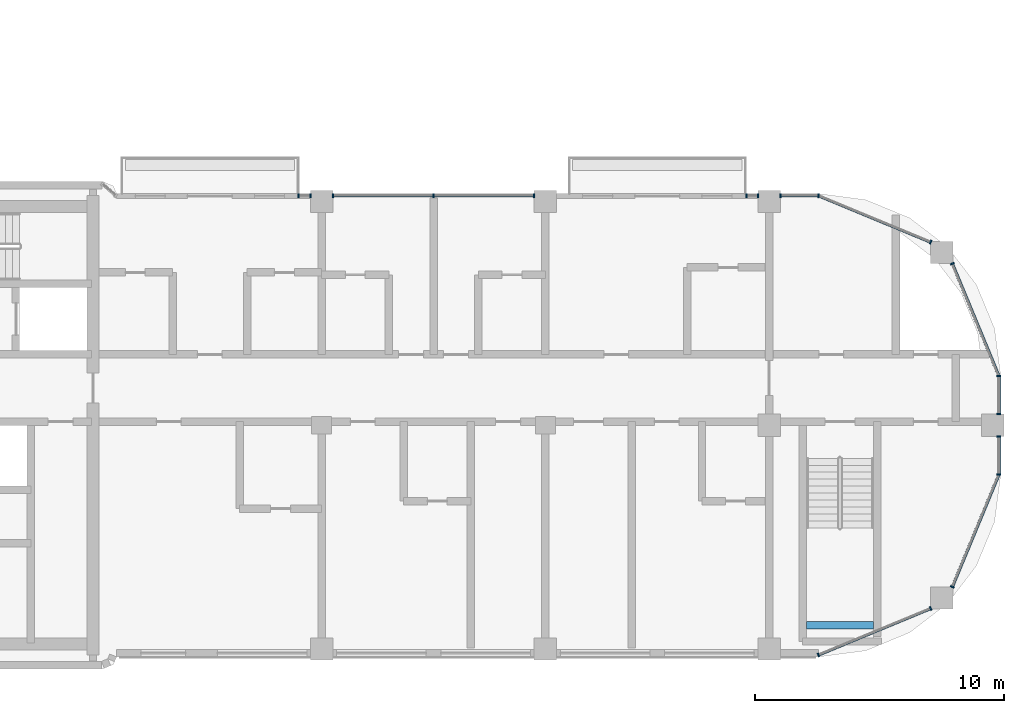
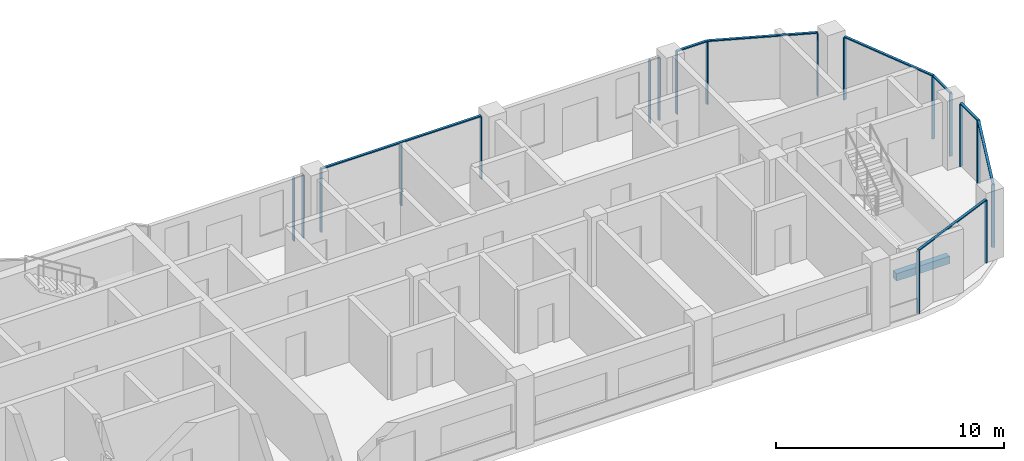
# One storey, part 3 of 19: 26 members, 1 beam, 10 elements without a shape of their own.
"""IFC4 building model written with IfcOpenShell, lengths in metres."""

from ifc_helpers import new_model, si_unit, direction, frame, origin, origin_2d, place, context, subcontext, project, spatial, rectangle, extrude, material, material_profile, profile_set, type_object, element, aggregate, save


model = new_model("IFC4")

# Units and contexts
model_context = context("Model", 3, precision=1e-05, world=origin(), true_north=direction((0.0, 1.0)))
body_context = subcontext(model_context, "Body", "Model", "MODEL_VIEW")
ifc_project = project(units=[si_unit("LENGTHUNIT", "METRE"), si_unit("AREAUNIT", "SQUARE_METRE"), si_unit("VOLUMEUNIT", "CUBIC_METRE"), si_unit("PLANEANGLEUNIT", "RADIAN"), si_unit("MASSUNIT", "GRAM", prefix="KILO")], contexts=[model_context])

# Site, building, storey
site_placement = place(None, origin())
site = spatial("IfcSite", under=ifc_project, at=site_placement, CompositionType="ELEMENT")
building_placement = place(site_placement, origin())
building = spatial("IfcBuilding", under=site, at=building_placement, Name="Ogive Portal Towers", CompositionType="ELEMENT")
storey_placement = place(building_placement, frame((0.0, 0.0, 218.0)))
storey = spatial("IfcBuildingStorey", under=building, at=storey_placement, Name="L54", CompositionType="ELEMENT", Elevation=218.0)

# Beam
ifc_material_1 = material(Name="Concrete C40/50", Category="concrete")
ifc_material_profile_1 = material_profile(ifc_material_1, rectangle(XDim=0.300048828125, YDim=0.39990234375, at=origin_2d()), Name="RC 300x400")
ifc_profile_set_1 = profile_set([ifc_material_profile_1], Name="Concrete C40/50")
beam_type = type_object("IfcBeamType", Name="BEAM RC 300x400", PredefinedType="BEAM", material=ifc_profile_set_1)
beam_placement = place(storey_placement, frame((87.0, 22.449951171875, 1.449951171875), z_axis=(1.0, 0.0, 0.0), x_axis=(0.0, 1.0, 0.0)))
element("IfcBeam", 1, at=beam_placement, inside=storey, type_object=beam_type, Name="Landing beam L54", PredefinedType="BEAM", context=body_context, shape_type="SweptSolid", body=[
    extrude(rectangle(XDim=0.300048828125, YDim=0.39990234375, at=origin_2d()), origin(), (0.0, 0.0, 1.0), 2.699951171875),
])

# Curtain wall, members
ifc_material_2 = material(Name="Glass, clear low-iron insulated glazing", Category="glass")
curtain_wall_type = type_object("IfcCurtainWallType", Name="CW FRONT RIBBON 4500", PredefinedType="NOTDEFINED", material=ifc_material_2)
curtain_wall_1_placement = place(storey_placement, origin())
curtain_wall_1 = element("IfcCurtainWall", 2, at=curtain_wall_1_placement, inside=storey, type_object=curtain_wall_type, Name="A:L54:f23:cw0~0", PredefinedType="NOTDEFINED")
ifc_material_3 = material(Name="Aluminium 6063 anodised", Category="aluminium")
ifc_material_profile_2 = material_profile(ifc_material_3, rectangle(XDim=0.159912109375, YDim=0.06005859375, at=origin_2d()), Name="AL 60x160")
ifc_profile_set_2 = profile_set([ifc_material_profile_2], Name="Aluminium 6063 anodised")
member_type_1 = type_object("IfcMemberType", Name="CW MULLION 60x160", PredefinedType="MULLION", material=ifc_profile_set_2)
member_1_placement = place(storey_placement, frame((94.739990234375, 28.515869140625, 0.0), z_axis=(0.0, 0.0, 1.0), x_axis=(-1.0, 0.0, 0.0)))
member_1 = element("IfcMember", 3, at=member_1_placement, type_object=member_type_1, Name="mullion", PredefinedType="MULLION", context=body_context, shape_type="SweptSolid", body=[
    extrude(rectangle(XDim=0.159912109375, YDim=0.06005859375, at=origin_2d()), origin(), (0.0, 0.0, 1.0), 3.340087890625),
])
member_2_placement = place(storey_placement, frame((94.739990234375, 30.050048828125, 0.0), z_axis=(0.0, 0.0, 1.0), x_axis=(-1.0, 0.0, 0.0)))
member_2 = element("IfcMember", 4, at=member_2_placement, type_object=member_type_1, Name="mullion", PredefinedType="MULLION", context=body_context, shape_type="SweptSolid", body=[
    extrude(rectangle(XDim=0.159912109375, YDim=0.06005859375, at=origin_2d()), origin(), (0.0, 0.0, 1.0), 3.340087890625),
])

curtain_wall_2_placement = place(storey_placement, origin())
curtain_wall_2 = element("IfcCurtainWall", 5, at=curtain_wall_2_placement, inside=storey, type_object=curtain_wall_type, Name="A:L54:f23:cw0~1", PredefinedType="NOTDEFINED")
member_3_placement = place(storey_placement, frame((94.739990234375, 30.949951171875, 0.0), z_axis=(0.0, 0.0, 1.0), x_axis=(-1.0, 0.0, 0.0)))
member_3 = element("IfcMember", 6, at=member_3_placement, type_object=member_type_1, Name="mullion", PredefinedType="MULLION", context=body_context, shape_type="SweptSolid", body=[
    extrude(rectangle(XDim=0.159912109375, YDim=0.06005859375, at=origin_2d()), origin(), (0.0, 0.0, 1.0), 3.340087890625),
])
member_4_placement = place(storey_placement, frame((94.739990234375, 32.484130859375, 0.0), z_axis=(0.0, 0.0, 1.0), x_axis=(-1.0, 0.0, 0.0)))
member_4 = element("IfcMember", 7, at=member_4_placement, type_object=member_type_1, Name="mullion", PredefinedType="MULLION", context=body_context, shape_type="SweptSolid", body=[
    extrude(rectangle(XDim=0.159912109375, YDim=0.06005859375, at=origin_2d()), origin(), (0.0, 0.0, 1.0), 3.340087890625),
])

curtain_wall_3_placement = place(storey_placement, origin())
curtain_wall_3 = element("IfcCurtainWall", 8, at=curtain_wall_3_placement, inside=storey, type_object=curtain_wall_type, Name="A:L54:f26:cw0~0", PredefinedType="NOTDEFINED")
member_5_placement = place(storey_placement, frame((87.484130859375, 39.739990234375, 0.0), z_axis=(0.0, 0.0, 1.0), x_axis=(0.0, -1.0, 0.0)))
member_5 = element("IfcMember", 9, at=member_5_placement, type_object=member_type_1, Name="mullion", PredefinedType="MULLION", context=body_context, shape_type="SweptSolid", body=[
    extrude(rectangle(XDim=0.159912109375, YDim=0.06005859375, at=origin_2d()), origin(), (0.0, 0.0, 1.0), 3.340087890625),
])
member_6_placement = place(storey_placement, frame((85.949951171875, 39.739990234375, 0.0), z_axis=(0.0, 0.0, 1.0), x_axis=(0.0, -1.0, 0.0)))
member_6 = element("IfcMember", 10, at=member_6_placement, type_object=member_type_1, Name="mullion", PredefinedType="MULLION", context=body_context, shape_type="SweptSolid", body=[
    extrude(rectangle(XDim=0.159912109375, YDim=0.06005859375, at=origin_2d()), origin(), (0.0, 0.0, 1.0), 3.340087890625),
])

curtain_wall_4_placement = place(storey_placement, origin())
curtain_wall_4 = element("IfcCurtainWall", 11, at=curtain_wall_4_placement, inside=storey, type_object=curtain_wall_type, Name="A:L54:f26:cw0~1", PredefinedType="NOTDEFINED")
member_7_placement = place(storey_placement, frame((85.050048828125, 39.739990234375, 0.0), z_axis=(0.0, 0.0, 1.0), x_axis=(0.0, -1.0, 0.0)))
member_7 = element("IfcMember", 12, at=member_7_placement, type_object=member_type_1, Name="mullion", PredefinedType="MULLION", context=body_context, shape_type="SweptSolid", body=[
    extrude(rectangle(XDim=0.159912109375, YDim=0.06005859375, at=origin_2d()), origin(), (0.0, 0.0, 1.0), 3.340087890625),
])
member_8_placement = place(storey_placement, frame((84.582763671875, 39.739990234375, 0.0), z_axis=(0.0, 0.0, 1.0), x_axis=(0.0, -1.0, 0.0)))
member_8 = element("IfcMember", 13, at=member_8_placement, type_object=member_type_1, Name="mullion", PredefinedType="MULLION", context=body_context, shape_type="SweptSolid", body=[
    extrude(rectangle(XDim=0.159912109375, YDim=0.06005859375, at=origin_2d()), origin(), (0.0, 0.0, 1.0), 3.340087890625),
])
aggregate(curtain_wall_4, [member_7, member_8])

curtain_wall_5_placement = place(storey_placement, origin())
curtain_wall_5 = element("IfcCurtainWall", 14, at=curtain_wall_5_placement, inside=storey, type_object=curtain_wall_type, Name="A:L54:f26:cw1~0", PredefinedType="NOTDEFINED")
member_9_placement = place(storey_placement, frame((76.050048828125, 39.739990234375, 0.0), z_axis=(0.0, 0.0, 1.0), x_axis=(0.0, -1.0, 0.0)))
member_9 = element("IfcMember", 15, at=member_9_placement, type_object=member_type_1, Name="mullion", PredefinedType="MULLION", context=body_context, shape_type="SweptSolid", body=[
    extrude(rectangle(XDim=0.159912109375, YDim=0.06005859375, at=origin_2d()), origin(), (0.0, 0.0, 1.0), 3.340087890625),
])
member_10_placement = place(storey_placement, frame((72.0, 39.739990234375, 0.0), z_axis=(0.0, 0.0, 1.0), x_axis=(0.0, -1.0, 0.0)))
member_10 = element("IfcMember", 16, at=member_10_placement, type_object=member_type_1, Name="mullion", PredefinedType="MULLION", context=body_context, shape_type="SweptSolid", body=[
    extrude(rectangle(XDim=0.159912109375, YDim=0.06005859375, at=origin_2d()), origin(), (0.0, 0.0, 1.0), 3.340087890625),
])
member_11_placement = place(storey_placement, frame((67.949951171875, 39.739990234375, 0.0), z_axis=(0.0, 0.0, 1.0), x_axis=(0.0, -1.0, 0.0)))
member_11 = element("IfcMember", 17, at=member_11_placement, type_object=member_type_1, Name="mullion", PredefinedType="MULLION", context=body_context, shape_type="SweptSolid", body=[
    extrude(rectangle(XDim=0.159912109375, YDim=0.06005859375, at=origin_2d()), origin(), (0.0, 0.0, 1.0), 3.340087890625),
])

curtain_wall_6_placement = place(storey_placement, origin())
curtain_wall_6 = element("IfcCurtainWall", 18, at=curtain_wall_6_placement, inside=storey, type_object=curtain_wall_type, Name="A:L54:f26:cw1~1", PredefinedType="NOTDEFINED")
member_12_placement = place(storey_placement, frame((67.050048828125, 39.739990234375, 0.0), z_axis=(0.0, 0.0, 1.0), x_axis=(0.0, -1.0, 0.0)))
member_12 = element("IfcMember", 19, at=member_12_placement, type_object=member_type_1, Name="mullion", PredefinedType="MULLION", context=body_context, shape_type="SweptSolid", body=[
    extrude(rectangle(XDim=0.159912109375, YDim=0.06005859375, at=origin_2d()), origin(), (0.0, 0.0, 1.0), 3.340087890625),
])
member_13_placement = place(storey_placement, frame((66.573974609375, 39.739990234375, 0.0), z_axis=(0.0, 0.0, 1.0), x_axis=(0.0, -1.0, 0.0)))
member_13 = element("IfcMember", 20, at=member_13_placement, type_object=member_type_1, Name="mullion", PredefinedType="MULLION", context=body_context, shape_type="SweptSolid", body=[
    extrude(rectangle(XDim=0.159912109375, YDim=0.06005859375, at=origin_2d()), origin(), (0.0, 0.0, 1.0), 3.340087890625),
])
aggregate(curtain_wall_6, [member_12, member_13])

curtain_wall_7_placement = place(storey_placement, origin())
curtain_wall_7 = element("IfcCurtainWall", 21, at=curtain_wall_7_placement, inside=storey, type_object=curtain_wall_type, Name="A:L54:f21:cwa~0", PredefinedType="NOTDEFINED")
member_14_placement = place(storey_placement, frame((87.484130859375, 21.260009765625, 0.0), z_axis=(0.0, 0.0, 1.0), x_axis=(-0.382683432365, 0.923879532511, 0.0)))
member_14 = element("IfcMember", 22, at=member_14_placement, type_object=member_type_1, Name="mullion", PredefinedType="MULLION", context=body_context, shape_type="SweptSolid", body=[
    extrude(rectangle(XDim=0.159912109375, YDim=0.06005859375, at=origin_2d()), origin(), (0.0, 0.0, 1.0), 3.340087890625),
])
member_15_placement = place(storey_placement, frame((92.0, 23.130615234375, 0.0), z_axis=(0.0, 0.0, 1.0), x_axis=(-0.382683432365, 0.923879532511, 0.0)))
member_15 = element("IfcMember", 23, at=member_15_placement, type_object=member_type_1, Name="mullion", PredefinedType="MULLION", context=body_context, shape_type="SweptSolid", body=[
    extrude(rectangle(XDim=0.159912109375, YDim=0.06005859375, at=origin_2d()), origin(), (0.0, 0.0, 1.0), 3.340087890625),
])

# Curtain wall, member
curtain_wall_8_placement = place(storey_placement, origin())
curtain_wall_8 = element("IfcCurtainWall", 24, at=curtain_wall_8_placement, inside=storey, type_object=curtain_wall_type, Name="A:L54:f21:cwa~1", PredefinedType="NOTDEFINED")
member_16_placement = place(storey_placement, frame((92.869384765625, 24.0, 0.0), z_axis=(0.0, 0.0, 1.0), x_axis=(-0.923879532511, 0.382683432365, 0.0)))
member_16 = element("IfcMember", 25, at=member_16_placement, type_object=member_type_1, Name="mullion", PredefinedType="MULLION", context=body_context, shape_type="SweptSolid", body=[
    extrude(rectangle(XDim=0.159912109375, YDim=0.06005859375, at=origin_2d()), origin(), (0.0, 0.0, 1.0), 3.340087890625),
])

curtain_wall_9_placement = place(storey_placement, origin())
curtain_wall_9 = element("IfcCurtainWall", 26, at=curtain_wall_9_placement, inside=storey, type_object=curtain_wall_type, Name="A:L54:f24:cwa~0", PredefinedType="NOTDEFINED")
member_17_placement = place(storey_placement, frame((92.869384765625, 37.0, 0.0), z_axis=(0.0, 0.0, 1.0), x_axis=(-0.923879532511, -0.382683432365, 0.0)))
member_17 = element("IfcMember", 27, at=member_17_placement, type_object=member_type_1, Name="mullion", PredefinedType="MULLION", context=body_context, shape_type="SweptSolid", body=[
    extrude(rectangle(XDim=0.159912109375, YDim=0.06005859375, at=origin_2d()), origin(), (0.0, 0.0, 1.0), 3.340087890625),
])

curtain_wall_10_placement = place(storey_placement, origin())
curtain_wall_10 = element("IfcCurtainWall", 28, at=curtain_wall_10_placement, inside=storey, type_object=curtain_wall_type, Name="A:L54:f24:cwa~1", PredefinedType="NOTDEFINED")
member_18_placement = place(storey_placement, frame((92.0, 37.869384765625, 0.0), z_axis=(0.0, 0.0, 1.0), x_axis=(-0.382683432365, -0.923879532511, 0.0)))
member_18 = element("IfcMember", 29, at=member_18_placement, type_object=member_type_1, Name="mullion", PredefinedType="MULLION", context=body_context, shape_type="SweptSolid", body=[
    extrude(rectangle(XDim=0.159912109375, YDim=0.06005859375, at=origin_2d()), origin(), (0.0, 0.0, 1.0), 3.340087890625),
])

# Member
ifc_material_profile_3 = material_profile(ifc_material_3, rectangle(XDim=0.1201171875, YDim=0.06005859375, at=origin_2d()), Name="AL 120x60")
ifc_profile_set_3 = profile_set([ifc_material_profile_3], Name="Aluminium 6063 anodised")
member_type_2 = type_object("IfcMemberType", Name="CW TRANSOM 60x120", PredefinedType="USERDEFINED", material=ifc_profile_set_3)
member_19_placement = place(storey_placement, frame((94.739990234375, 28.515869140625, 3.3701171875), z_axis=(0.0, 1.0, 0.0), x_axis=(-1.0, 0.0, 0.0)))
member_19 = element("IfcMember", 30, at=member_19_placement, type_object=member_type_2, Name="transom", ObjectType="TRANSOM", PredefinedType="USERDEFINED", context=body_context, shape_type="SweptSolid", body=[
    extrude(rectangle(XDim=0.1201171875, YDim=0.06005859375, at=origin_2d()), origin(), (0.0, 0.0, 1.0), 1.5341796875),
])

aggregate(curtain_wall_1, [member_19, member_1, member_2])

member_20_placement = place(storey_placement, frame((94.739990234375, 30.949951171875, 3.3701171875), z_axis=(0.0, 1.0, 0.0), x_axis=(-1.0, 0.0, 0.0)))
member_20 = element("IfcMember", 31, at=member_20_placement, type_object=member_type_2, Name="transom", ObjectType="TRANSOM", PredefinedType="USERDEFINED", context=body_context, shape_type="SweptSolid", body=[
    extrude(rectangle(XDim=0.1201171875, YDim=0.06005859375, at=origin_2d()), origin(), (0.0, 0.0, 1.0), 1.5341796875),
])

aggregate(curtain_wall_2, [member_20, member_3, member_4])

member_21_placement = place(storey_placement, frame((87.484130859375, 39.739990234375, 3.3701171875), z_axis=(-1.0, 0.0, 0.0), x_axis=(0.0, -1.0, 0.0)))
member_21 = element("IfcMember", 32, at=member_21_placement, type_object=member_type_2, Name="transom", ObjectType="TRANSOM", PredefinedType="USERDEFINED", context=body_context, shape_type="SweptSolid", body=[
    extrude(rectangle(XDim=0.1201171875, YDim=0.06005859375, at=origin_2d()), origin(), (0.0, 0.0, 1.0), 1.5341796875),
])

aggregate(curtain_wall_3, [member_21, member_5, member_6])

member_22_placement = place(storey_placement, frame((76.050048828125, 39.739990234375, 3.3701171875), z_axis=(-1.0, 0.0, 0.0), x_axis=(0.0, -1.0, 0.0)))
member_22 = element("IfcMember", 33, at=member_22_placement, type_object=member_type_2, Name="transom", ObjectType="TRANSOM", PredefinedType="USERDEFINED", context=body_context, shape_type="SweptSolid", body=[
    extrude(rectangle(XDim=0.1201171875, YDim=0.06005859375, at=origin_2d()), origin(), (0.0, 0.0, 1.0), 8.10009765625),
])

aggregate(curtain_wall_5, [member_22, member_9, member_10, member_11])

member_23_placement = place(storey_placement, frame((87.484130859375, 21.260009765625, 3.3701171875), z_axis=(0.923874380641, 0.382695869842, 0.0), x_axis=(-0.382695869842, 0.923874380641, 0.0)))
member_23 = element("IfcMember", 34, at=member_23_placement, type_object=member_type_2, Name="transom", ObjectType="TRANSOM", PredefinedType="USERDEFINED", context=body_context, shape_type="SweptSolid", body=[
    extrude(rectangle(XDim=0.1201171875, YDim=0.06005859375, at=origin_2d()), origin(), (0.0, 0.0, 1.0), 4.887939453125),
])

aggregate(curtain_wall_7, [member_23, member_14, member_15])

member_24_placement = place(storey_placement, frame((92.869384765625, 24.0, 3.3701171875), z_axis=(0.382695869842, 0.923874380641, 0.0), x_axis=(-0.923874380641, 0.382695869842, 0.0)))
member_24 = element("IfcMember", 35, at=member_24_placement, type_object=member_type_2, Name="transom", ObjectType="TRANSOM", PredefinedType="USERDEFINED", context=body_context, shape_type="SweptSolid", body=[
    extrude(rectangle(XDim=0.1201171875, YDim=0.06005859375, at=origin_2d()), origin(), (0.0, 0.0, 1.0), 4.887939453125),
])

aggregate(curtain_wall_8, [member_24, member_16])

member_25_placement = place(storey_placement, frame((94.739990234375, 32.484130859375, 3.3701171875), z_axis=(-0.382695869842, 0.923874380641, 0.0), x_axis=(-0.923874380641, -0.382695869842, 0.0)))
member_25 = element("IfcMember", 36, at=member_25_placement, type_object=member_type_2, Name="transom", ObjectType="TRANSOM", PredefinedType="USERDEFINED", context=body_context, shape_type="SweptSolid", body=[
    extrude(rectangle(XDim=0.1201171875, YDim=0.06005859375, at=origin_2d()), origin(), (0.0, 0.0, 1.0), 4.887939453125),
])

aggregate(curtain_wall_9, [member_25, member_17])

member_26_placement = place(storey_placement, frame((92.0, 37.869384765625, 3.3701171875), z_axis=(-0.923874380641, 0.382695869842, 0.0), x_axis=(-0.382695869842, -0.923874380641, 0.0)))
member_26 = element("IfcMember", 37, at=member_26_placement, type_object=member_type_2, Name="transom", ObjectType="TRANSOM", PredefinedType="USERDEFINED", context=body_context, shape_type="SweptSolid", body=[
    extrude(rectangle(XDim=0.1201171875, YDim=0.06005859375, at=origin_2d()), origin(), (0.0, 0.0, 1.0), 4.887939453125),
])

aggregate(curtain_wall_10, [member_26, member_18])

save(model, "model.ifc")
